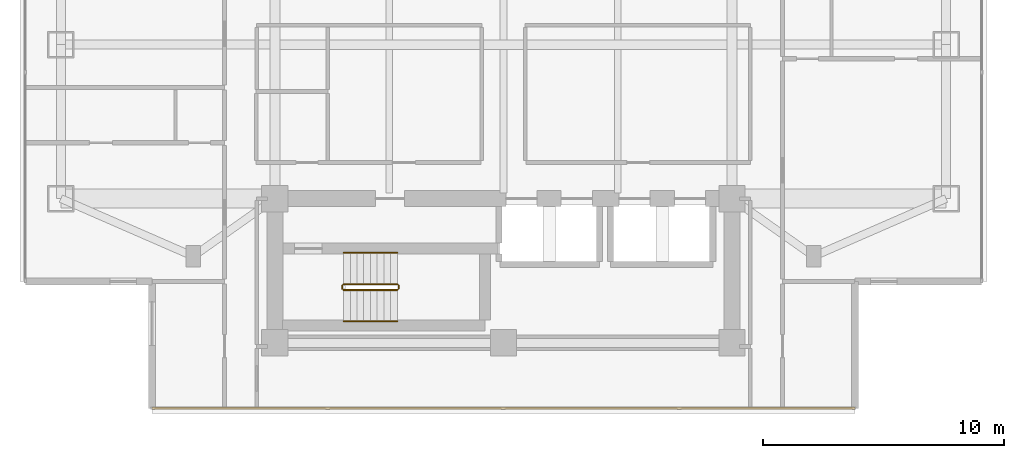
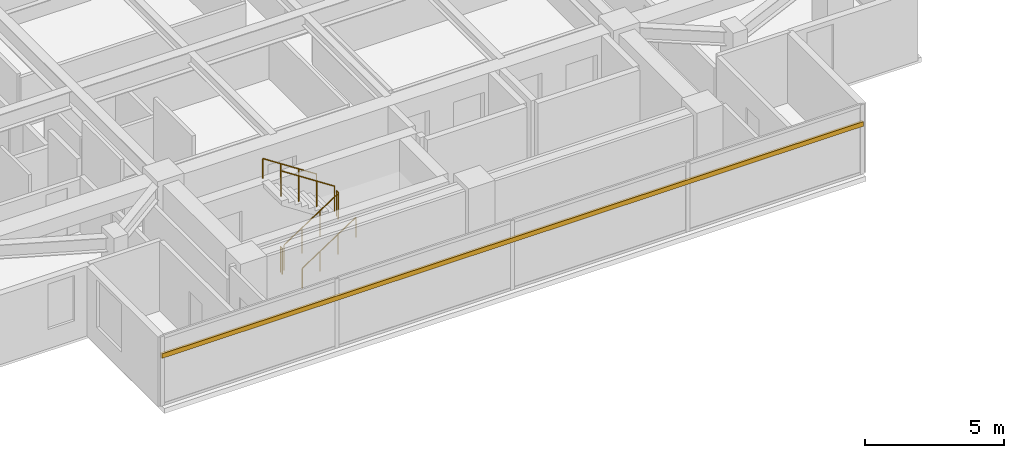
# One storey, part 20 of 24: 6 railings, 1 shading device.
"""IFC4 building model written with IfcOpenShell, lengths in metres."""

from ifc_helpers import new_model, si_unit, direction, frame, origin, origin_2d, place, context, subcontext, project, spatial, rectangle, circle, extrude, material, material_profile, profile_set, type_object, element, save


model = new_model("IFC4")

# Units and contexts
model_context = context("Model", 3, precision=1e-05, world=origin(), true_north=direction((0.0, 1.0)))
body_context = subcontext(model_context, "Body", "Model", "MODEL_VIEW")
ifc_project = project(units=[si_unit("LENGTHUNIT", "METRE"), si_unit("AREAUNIT", "SQUARE_METRE"), si_unit("VOLUMEUNIT", "CUBIC_METRE"), si_unit("PLANEANGLEUNIT", "RADIAN"), si_unit("MASSUNIT", "GRAM", prefix="KILO")], contexts=[model_context])

# Site, building, storey
site_placement = place(None, origin())
site = spatial("IfcSite", under=ifc_project, at=site_placement, CompositionType="ELEMENT")
building_placement = place(site_placement, origin())
building = spatial("IfcBuilding", under=site, at=building_placement, Name="Mirazonda Arch Towers", CompositionType="ELEMENT")
storey_placement = place(building_placement, frame((0.0, 0.0, 118.10009765625)))
storey = spatial("IfcBuildingStorey", under=building, at=storey_placement, Name="L33", CompositionType="ELEMENT", Elevation=118.10009765625)

# Shading device
ifc_material_1 = material(Name="Kiln-Fired Architectural Terracotta", Category="masonry")
ifc_material_profile = material_profile(ifc_material_1, rectangle(XDim=0.10009765625, YDim=0.199951171875, at=origin_2d()), Name="TERRA-BAG-100x200")
ifc_profile_set = profile_set([ifc_material_profile], Name="Kiln-Fired Architectural Terracotta")
shading_device_type = type_object("IfcShadingDeviceType", Name="BAGUETTE-2", PredefinedType="USERDEFINED", material=ifc_profile_set)
shading_device_placement = place(storey_placement, frame((35.110107421875, 9.679931640625, 2.203125), z_axis=(-1.0, 0.0, 0.0), x_axis=(0.0, -1.0, 0.0)))
element("IfcShadingDevice", 1, at=shading_device_placement, inside=storey, type_object=shading_device_type, Name="L33 Glazed Terracotta Sun-Screen Baguette CW-L33-T1-S", ObjectType="BAGUETTE", PredefinedType="USERDEFINED", context=body_context, shape_type="SweptSolid", body=[
    extrude(rectangle(XDim=0.10009765625, YDim=0.199951171875, at=origin_2d()), origin(), (0.0, 0.0, 1.0), 29.22021484375),
])

# Railings
ifc_material_2 = material(Name="Architectural Brushed Steel S355", Category="steel")
railing_type_1 = type_object("IfcRailingType", Name="GUARD-STAIR-1120", PredefinedType="GUARDRAIL", material=ifc_material_2)
railing_1_placement = place(storey_placement, frame((13.85009765625, 14.60009765625, 0.183349609375)))
element("IfcRailing", 2, at=railing_1_placement, inside=storey, type_object=railing_type_1, Name="L33 ST-T1S stair guard 1", PredefinedType="GUARDRAIL", context=body_context, shape_type="SweptSolid", body=[
    extrude(circle(Radius=0.02392578125, at=origin_2d()), frame((0.0, 0.0, 1.1259765625), z_axis=(0.836636935527, 0.0, 0.547757827979), x_axis=(0.0, 1.0, 0.0)), (0.0, 0.0, 1.0), 2.677490234375),
    extrude(circle(Radius=0.02099609375, at=origin_2d()), origin(), (0.0, 0.0, 1.0), 1.101806640625),
    extrude(circle(Radius=0.02099609375, at=origin_2d()), frame((0.74658203125, 0.0, 0.48876953125)), (0.0, 0.0, 1.0), 1.101806640625),
    extrude(circle(Radius=0.02099609375, at=origin_2d()), frame((1.493408203125, 0.0, 0.977783203125)), (0.0, 0.0, 1.0), 1.101806640625),
    extrude(circle(Radius=0.02099609375, at=origin_2d()), frame((2.239990234375, 0.0, 1.466552734375)), (0.0, 0.0, 1.0), 1.101806640625),
])
railing_2_placement = place(storey_placement, frame((16.139892578125, 14.64990234375, 1.64990234375)))
element("IfcRailing", 3, at=railing_2_placement, inside=storey, type_object=railing_type_1, Name="L33 ST-T1S stair guard 2", PredefinedType="GUARDRAIL", context=body_context, shape_type="SweptSolid", body=[
    extrude(circle(Radius=0.02392578125, at=origin_2d()), frame((0.0, 0.0, 1.1259765625), z_axis=(0.0, 1.0, 0.0), x_axis=(-1.0, 0.0, 0.0)), (0.0, 0.0, 1.0), 0.14013671875),
    extrude(circle(Radius=0.02099609375, at=origin_2d()), origin(), (0.0, 0.0, 1.0), 1.101806640625),
    extrude(circle(Radius=0.02099609375, at=origin_2d()), frame((0.0, 0.14013671875, 0.0)), (0.0, 0.0, 1.0), 1.101806640625),
])
railing_3_placement = place(storey_placement, frame((16.090087890625, 14.840087890625, 1.833251953125)))
element("IfcRailing", 4, at=railing_3_placement, inside=storey, type_object=railing_type_1, Name="L33 ST-T1S stair guard 3", PredefinedType="GUARDRAIL", context=body_context, shape_type="SweptSolid", body=[
    extrude(circle(Radius=0.02392578125, at=origin_2d()), frame((0.0, 0.0, 1.1259765625), z_axis=(-0.836636935527, 0.0, 0.547757827979), x_axis=(0.0, -1.0, 0.0)), (0.0, 0.0, 1.0), 2.677490234375),
    extrude(circle(Radius=0.02099609375, at=origin_2d()), origin(), (0.0, 0.0, 1.0), 1.101806640625),
    extrude(circle(Radius=0.02099609375, at=origin_2d()), frame((-0.74658203125, 0.0, 0.48876953125)), (0.0, 0.0, 1.0), 1.101806640625),
    extrude(circle(Radius=0.02099609375, at=origin_2d()), frame((-1.493408203125, 0.0, 0.977783203125)), (0.0, 0.0, 1.0), 1.101806640625),
    extrude(circle(Radius=0.02099609375, at=origin_2d()), frame((-2.239990234375, 0.0, 1.466552734375)), (0.0, 0.0, 1.0), 1.101806640625),
])
railing_4_placement = place(storey_placement, frame((13.800048828125, 14.64990234375, 0.0)))
element("IfcRailing", 5, at=railing_4_placement, inside=storey, type_object=railing_type_1, Name="L33 ST-T1S stair guard 4", PredefinedType="GUARDRAIL", context=body_context, shape_type="SweptSolid", body=[
    extrude(circle(Radius=0.02392578125, at=origin_2d()), frame((0.0, 0.0, 1.1259765625), z_axis=(0.0, 1.0, 0.0), x_axis=(-1.0, 0.0, 0.0)), (0.0, 0.0, 1.0), 0.14013671875),
    extrude(circle(Radius=0.02099609375, at=origin_2d()), origin(), (0.0, 0.0, 1.0), 1.101806640625),
    extrude(circle(Radius=0.02099609375, at=origin_2d()), frame((0.0, 0.14013671875, 0.0)), (0.0, 0.0, 1.0), 1.101806640625),
])
railing_type_2 = type_object("IfcRailingType", Name="HANDRAIL-915", PredefinedType="HANDRAIL", material=ifc_material_2)
railing_5_placement = place(storey_placement, frame((13.85009765625, 13.300048828125, 0.183349609375)))
element("IfcRailing", 6, at=railing_5_placement, inside=storey, type_object=railing_type_2, Name="L33 ST-T1S stair handrail 1", PredefinedType="HANDRAIL", context=body_context, shape_type="SweptSolid", body=[
    extrude(circle(Radius=0.02392578125, at=origin_2d()), frame((0.0, 0.0, 0.8759765625), z_axis=(0.836636935527, 0.0, 0.547757827979), x_axis=(0.0, 1.0, 0.0)), (0.0, 0.0, 1.0), 2.677490234375),
    extrude(circle(Radius=0.02099609375, at=origin_2d()), origin(), (0.0, 0.0, 1.0), 0.851806640625),
    extrude(circle(Radius=0.02099609375, at=origin_2d()), frame((0.74658203125, 0.0, 0.48876953125)), (0.0, 0.0, 1.0), 0.851806640625),
    extrude(circle(Radius=0.02099609375, at=origin_2d()), frame((1.493408203125, 0.0, 0.977783203125)), (0.0, 0.0, 1.0), 0.851806640625),
    extrude(circle(Radius=0.02099609375, at=origin_2d()), frame((2.239990234375, 0.0, 1.466552734375)), (0.0, 0.0, 1.0), 0.851806640625),
])
railing_6_placement = place(storey_placement, frame((16.090087890625, 16.139892578125, 1.833251953125)))
element("IfcRailing", 7, at=railing_6_placement, inside=storey, type_object=railing_type_2, Name="L33 ST-T1S stair handrail 2", PredefinedType="HANDRAIL", context=body_context, shape_type="SweptSolid", body=[
    extrude(circle(Radius=0.02392578125, at=origin_2d()), frame((0.0, 0.0, 0.8759765625), z_axis=(-0.836636935527, 0.0, 0.547757827979), x_axis=(0.0, -1.0, 0.0)), (0.0, 0.0, 1.0), 2.677490234375),
    extrude(circle(Radius=0.02099609375, at=origin_2d()), origin(), (0.0, 0.0, 1.0), 0.851806640625),
    extrude(circle(Radius=0.02099609375, at=origin_2d()), frame((-0.74658203125, 0.0, 0.48876953125)), (0.0, 0.0, 1.0), 0.851806640625),
    extrude(circle(Radius=0.02099609375, at=origin_2d()), frame((-1.493408203125, 0.0, 0.977783203125)), (0.0, 0.0, 1.0), 0.851806640625),
    extrude(circle(Radius=0.02099609375, at=origin_2d()), frame((-2.239990234375, 0.0, 1.466552734375)), (0.0, 0.0, 1.0), 0.851806640625),
])

save(model, "model.ifc")
